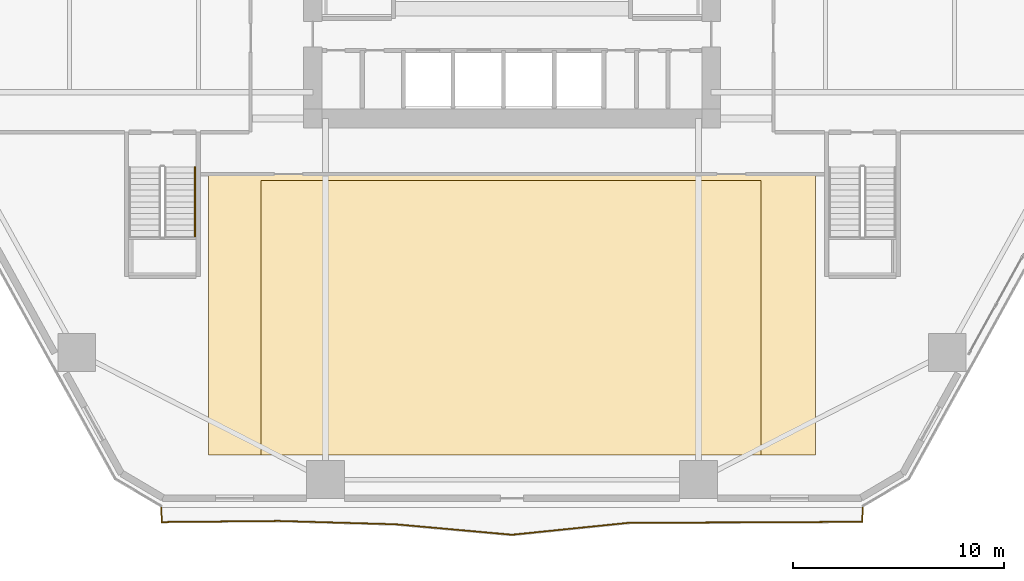
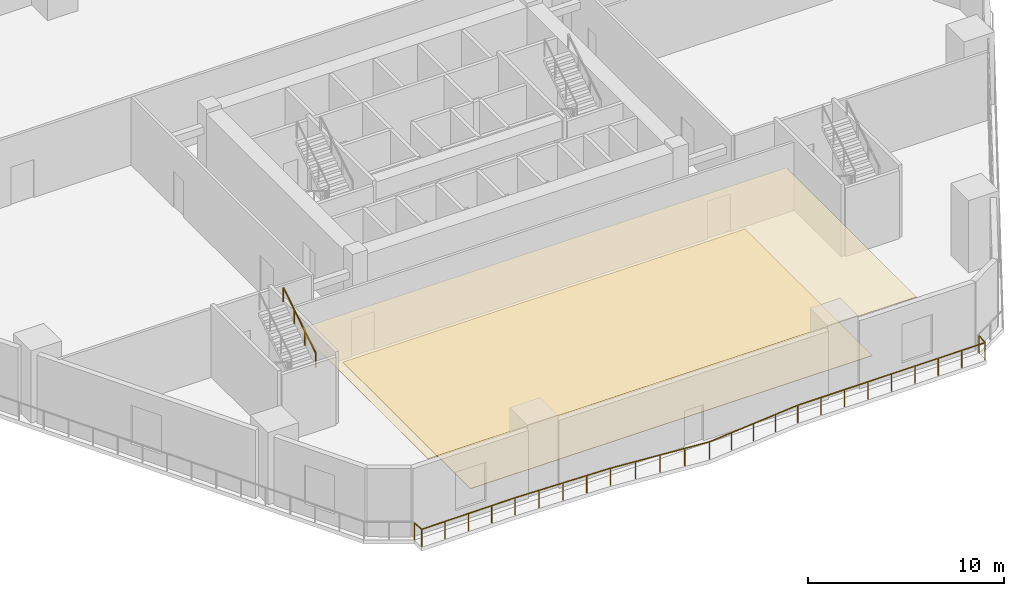
# One storey, part 14 of 18: 2 coverings, 2 railings.
"""IFC4 building model written with IfcOpenShell, lengths in metres."""

import ifcopenshell
import ifcopenshell.guid

model = None  # the IFC model being written
_history = None  # IfcOwnerHistory: only IFC2X3 demands one
_inside = {}  # id of a spatial element -> (the spatial element, [elements in it])
_under = {}  # id of a project, library or spatial element -> (it, [spatial elements below it])
_declared = {}  # id of a project -> (the project, [libraries it declares])
_typed = {}  # id of a type object -> (the type object, [elements of that type])
_made_of = {}  # id of a material, layer set ... -> (it, [elements and type objects made of it])


def new_model(schema):
    """Start an empty IFC model of exactly this schema.

    Asked for "IFC4X3", IfcOpenShell would pick the latest addendum, in which some entities
    have other attributes; the version numbers below select the first issue.
    IFC2X3 requires an IfcOwnerHistory on every rooted entity: one is made here for all.
    """
    global model, _history
    if schema == "IFC4X3":
        model = ifcopenshell.file(schema_version=(4, 3, 0, 0))
    else:
        model = ifcopenshell.file(schema=schema)
    _inside.clear()
    _under.clear()
    _declared.clear()
    _typed.clear()
    _made_of.clear()
    _history = None
    if model.schema == "IFC2X3":
        org = make("IfcOrganization", Name="unknown")
        user = make(
            "IfcPersonAndOrganization",
            ThePerson=make("IfcPerson", FamilyName="unknown"),
            TheOrganization=org,
        )
        app = make(
            "IfcApplication",
            ApplicationDeveloper=org,
            Version="unknown",
            ApplicationFullName="unknown",
            ApplicationIdentifier="unknown",
        )
        _history = make(
            "IfcOwnerHistory",
            OwningUser=user,
            OwningApplication=app,
            ChangeAction="ADDED",
            CreationDate=0,
        )
    return model


def make(cls, **values):
    """One entity of the class cls with the attributes given. An attribute that is None is left unset."""
    return model.create_entity(
        cls, **{name: value for name, value in values.items() if value is not None}
    )


def rooted(cls, **values):
    """An entity with a GlobalId (a new one), such as an element, a storey or a relation."""
    return make(cls, GlobalId=ifcopenshell.guid.new(), OwnerHistory=_history, **values)


def si_unit(unit_type, name, prefix=None):
    """IfcSIUnit, for example si_unit("LENGTHUNIT", "METRE", prefix="MILLI")."""
    return make("IfcSIUnit", UnitType=unit_type, Prefix=prefix, Name=name)


def assignment(units):
    """IfcUnitAssignment: the units of a project."""
    return None if units is None else make("IfcUnitAssignment", Units=units)


def point(xyz):
    """IfcCartesianPoint."""
    return None if xyz is None else make("IfcCartesianPoint", Coordinates=xyz)


def direction(xyz):
    """IfcDirection."""
    return None if xyz is None else make("IfcDirection", DirectionRatios=xyz)


def frame(location, z_axis=None, x_axis=None):
    """IfcAxis2Placement3D, a coordinate frame: its origin and axes. An axis left out is left unset."""
    return make(
        "IfcAxis2Placement3D",
        Location=point(location),
        Axis=direction(z_axis),
        RefDirection=direction(x_axis),
    )


def frame_2d(location, x_axis=None):
    """IfcAxis2Placement2D, a coordinate frame in the plane: its origin and x axis."""
    return make(
        "IfcAxis2Placement2D", Location=point(location), RefDirection=direction(x_axis)
    )


def origin():
    """The frame at (0, 0, 0) with its axes left unset."""
    return frame((0.0, 0.0, 0.0))


def origin_2d():
    """The frame at (0, 0) in the plane with its x axis left unset."""
    return frame_2d((0.0, 0.0))


def place(relative_to, where):
    """IfcLocalPlacement: puts the frame where relative to a parent placement (None: the world)."""
    return make(
        "IfcLocalPlacement", PlacementRelTo=relative_to, RelativePlacement=where
    )


def context(
    kind, dimensions, precision=None, world=None, true_north=None, identifier=None
):
    """IfcGeometricRepresentationContext, for example the 3D "Model" context."""
    return make(
        "IfcGeometricRepresentationContext",
        ContextIdentifier=identifier,
        ContextType=kind,
        CoordinateSpaceDimension=dimensions,
        Precision=precision,
        WorldCoordinateSystem=world,
        TrueNorth=true_north,
    )


def subcontext(parent, identifier, kind, view, scale=None):
    """IfcGeometricRepresentationSubContext, for example "Body" below "Model"."""
    return make(
        "IfcGeometricRepresentationSubContext",
        ContextIdentifier=identifier,
        ContextType=kind,
        ParentContext=parent,
        TargetScale=scale,
        TargetView=view,
    )


def project(units=None, contexts=None):
    """IfcProject with its units and contexts."""
    return rooted(
        "IfcProject",
        Name="project",
        RepresentationContexts=contexts,
        UnitsInContext=assignment(units),
    )


def spatial(cls, under=None, at=None, **own):
    """A site, building, storey or space (cls), placed at a placement, below another one or the project."""
    s = rooted(cls, ObjectPlacement=at, **own)
    if under is not None:
        _under.setdefault(under.id(), (under, []))[1].append(s)
    return s


def polyline(points):
    """IfcPolyline through the points."""
    return make("IfcPolyline", Points=[point(p) for p in points])


def profile(cls, at=None, kind="AREA", **sizes):
    """A parametric profile (cls). Its sizes go by their IFC names, for example OverallWidth=200.0."""
    return make(cls, ProfileType=kind, Position=at, **sizes)


def rectangle(**sizes):
    """IfcRectangleProfileDef."""
    return profile("IfcRectangleProfileDef", **sizes)


def outline(outer, holes=None, kind="AREA"):
    """IfcArbitraryClosedProfileDef: a profile drawn as a closed curve; with holes, ...WithVoids."""
    if holes is None:
        return make("IfcArbitraryClosedProfileDef", ProfileType=kind, OuterCurve=outer)
    return make(
        "IfcArbitraryProfileDefWithVoids",
        ProfileType=kind,
        OuterCurve=outer,
        InnerCurves=holes,
    )


def extrude(swept, where, along, depth):
    """IfcExtrudedAreaSolid: the profile swept, set in the frame where, extruded along a direction by depth."""
    return make(
        "IfcExtrudedAreaSolid",
        SweptArea=swept,
        Position=where,
        ExtrudedDirection=direction(along),
        Depth=depth,
    )


def shape(context_of_items, identifier, shape_type, items):
    """IfcShapeRepresentation: the items that make up one representation, for example the "Body"."""
    return make(
        "IfcShapeRepresentation",
        ContextOfItems=context_of_items,
        RepresentationIdentifier=identifier,
        RepresentationType=shape_type,
        Items=items,
    )


def material(Name=None, Category=None):
    """IfcMaterial."""
    return make("IfcMaterial", Name=Name, Category=Category)


def layer(
    of_material, thickness, ventilated=None, Name=None, Category=None, Priority=None
):
    """IfcMaterialLayer: one layer of a wall or slab, of a material (None: an air gap)."""
    return make(
        "IfcMaterialLayer",
        Material=of_material,
        LayerThickness=thickness,
        IsVentilated=ventilated,
        Name=Name,
        Category=Category,
        Priority=Priority,
    )


def layer_set(layers, Name=None):
    """IfcMaterialLayerSet."""
    return make("IfcMaterialLayerSet", MaterialLayers=layers, LayerSetName=Name)


def made_of(thing, what):
    """Note that an element or type object is made of a material, layer set ...; save() writes the relation."""
    if what is not None:
        _made_of.setdefault(what.id(), (what, []))[1].append(thing)
    return thing


def type_object(cls, material=None, **own):
    """A type object (cls), such as IfcWallType, which elements share."""
    return made_of(rooted(cls, **own), material)


def element(
    cls,
    number,
    at=None,
    inside=None,
    cuts=None,
    type_object=None,
    material=None,
    context=None,
    identifier="Body",
    shape_type=None,
    held_by="IfcProductDefinitionShape",
    body=None,
    shapes=None,
    **own,
):
    """One element of the class cls, such as IfcWall. Its Tag is "e" and its number.

    at: its placement. inside: the storey or other place that contains it. cuts: it is an
    opening in that element (IfcRelVoidsElement). A single representation is given by context,
    identifier, shape_type and body (its items); several are given by shapes. held_by: the class
    of the entity that holds the representations. save() writes the other relations.
    """
    e = rooted(cls, Tag="e%d" % number, ObjectPlacement=at, **own)
    if body is not None:
        shapes = [shape(context, identifier, shape_type, body)]
    if shapes is not None:
        e.Representation = make(held_by, Representations=shapes)
    if inside is not None:
        _inside.setdefault(inside.id(), (inside, []))[1].append(e)
    if cuts is not None:
        rooted(
            "IfcRelVoidsElement", RelatingBuildingElement=cuts, RelatedOpeningElement=e
        )
    if type_object is not None:
        _typed.setdefault(type_object.id(), (type_object, []))[1].append(e)
    return made_of(e, material)


def aggregate(whole, parts):
    """IfcRelAggregates: a whole, such as a stair, and the parts it consists of."""
    return rooted("IfcRelAggregates", RelatingObject=whole, RelatedObjects=parts)


def save(model, path):
    """Write the relations noted so far, then the file.

    IfcRelAggregates (storeys below a building ...), IfcRelContainedInSpatialStructure (elements
    in a storey), IfcRelDefinesByType, IfcRelAssociatesMaterial and IfcRelDeclares: one each for
    every whole, place, type object, material and project.
    """
    for whole, parts in _under.values():
        aggregate(whole, parts)
    for where, things in _inside.values():
        rooted(
            "IfcRelContainedInSpatialStructure",
            RelatedElements=things,
            RelatingStructure=where,
        )
    for kind, things in _typed.values():
        rooted("IfcRelDefinesByType", RelatedObjects=things, RelatingType=kind)
    for what, things in _made_of.values():
        rooted("IfcRelAssociatesMaterial", RelatedObjects=things, RelatingMaterial=what)
    for by, libraries in _declared.values():
        rooted("IfcRelDeclares", RelatingContext=by, RelatedDefinitions=libraries)
    model.write(path)


model = new_model("IFC4")

# Units and contexts
model_context = context("Model", 3, precision=1e-05, world=origin(), true_north=direction((0.0, 1.0)))
body_context = subcontext(model_context, "Body", "Model", "MODEL_VIEW")
ifc_project = project(units=[si_unit("LENGTHUNIT", "METRE"), si_unit("AREAUNIT", "SQUARE_METRE"), si_unit("VOLUMEUNIT", "CUBIC_METRE"), si_unit("PLANEANGLEUNIT", "RADIAN"), si_unit("MASSUNIT", "GRAM", prefix="KILO")], contexts=[model_context])

# Site, building, storey
site_placement = place(None, origin())
site = spatial("IfcSite", under=ifc_project, at=site_placement, CompositionType="ELEMENT")
building_placement = place(site_placement, origin())
building = spatial("IfcBuilding", under=site, at=building_placement, Name="Cinnabar Lancet Tower", CompositionType="ELEMENT")
storey_placement = place(building_placement, frame((0.0, 0.0, 10.5)))
storey = spatial("IfcBuildingStorey", under=building, at=storey_placement, Name="L02", CompositionType="ELEMENT", Elevation=10.5)

# Coverings
ifc_material_1 = material(Name="Acoustic perforated gypsum ceiling board", Category="finish")
ifc_layer_1 = layer(ifc_material_1, 0.01806640625)
ifc_layer_set_1 = layer_set([ifc_layer_1], Name="Acoustic perforated gypsum ceiling board")
covering_type_1 = type_object("IfcCoveringType", Name="ARC-COV-CEIL-GYP", PredefinedType="CEILING", material=ifc_layer_set_1)
covering_1_placement = place(storey_placement, frame((0.0, 0.0, 2.75)))
element("IfcCovering", 1, at=covering_1_placement, inside=storey, type_object=covering_type_1, Name="L02 Suspended Acoustic Ceiling", PredefinedType="CEILING", context=body_context, shape_type="SweptSolid", body=[
    extrude(outline(polyline([(18.0, 2.5), (46.800048828125, 2.5), (46.800048828125, 15.800048828125), (18.0, 15.800048828125), (18.0, 2.5)])), origin(), (0.0, 0.0, 1.0), 0.01806640625),
])
ifc_material_2 = material(Name="Honed Malaysian granite stone flooring", Category="masonry")
ifc_layer_2 = layer(ifc_material_2, 0.030029296875)
ifc_layer_set_2 = layer_set([ifc_layer_2], Name="Honed Malaysian granite stone flooring")
covering_type_2 = type_object("IfcCoveringType", Name="ARC-COV-FLR-STN", PredefinedType="FLOORING", material=ifc_layer_set_2)
covering_2_placement = place(storey_placement, origin())
element("IfcCovering", 2, at=covering_2_placement, inside=storey, type_object=covering_type_2, Name="L02 Architectural Floor Finish", PredefinedType="FLOORING", context=body_context, shape_type="SweptSolid", body=[
    extrude(outline(polyline([(20.5, 2.5), (44.199951171875, 2.5), (44.199951171875, 15.5), (20.5, 15.5), (20.5, 2.5)])), origin(), (0.0, 0.0, 1.0), 0.030029296875),
])

# Railings
ifc_material_3 = material(Name="Laminated safety glass and bronze stainless steel balustrade", Category="steel")
railing_type_1 = type_object("IfcRailingType", Name="ENV-RLG-BAL-1100", PredefinedType="BALUSTRADE", material=ifc_material_3)
railing_1_placement = place(storey_placement, frame((15.756103515625, 0.0, 0.0)))
element("IfcRailing", 3, at=railing_1_placement, inside=storey, type_object=railing_type_1, Name="L02 Face 1 Wave Balcony Balustrade", PredefinedType="BALUSTRADE", context=body_context, shape_type="SweptSolid", body=[
    extrude(rectangle(XDim=0.048095703125, YDim=0.048095703125, at=origin_2d()), frame((0.0, 0.0, 1.076171875), z_axis=(0.053206110203, -0.998583551756, 0.0), x_axis=(0.998583551756, 0.053206110203, 0.0)), (0.0, 0.0, 1.0), 0.69287109375),
    extrude(rectangle(XDim=0.048095703125, YDim=0.048095703125, at=origin_2d()), frame((0.036865234375, -0.69189453125, 1.076171875), z_axis=(0.999955918007, 0.009389464404, 0.0), x_axis=(-0.009389464404, 0.999955918007, 0.0)), (0.0, 0.0, 1.0), 5.538330078125),
    extrude(rectangle(XDim=0.048095703125, YDim=0.048095703125, at=origin_2d()), frame((5.574951171875, -0.639892578125, 1.076171875), z_axis=(0.999596784098, -0.028394880198, 0.0), x_axis=(0.028394880198, 0.999596784098, 0.0)), (0.0, 0.0, 1.0), 5.537109375),
    extrude(rectangle(XDim=0.048095703125, YDim=0.048095703125, at=origin_2d()), frame((11.10986328125, -0.797119140625, 1.076171875), z_axis=(0.995994146645, -0.08941845363, 0.0), x_axis=(0.08941845363, 0.995994146645, 0.0)), (0.0, 0.0, 1.0), 5.55615234375),
    extrude(rectangle(XDim=0.048095703125, YDim=0.048095703125, at=origin_2d()), frame((16.643798828125, -1.2939453125, 1.076171875), z_axis=(0.994794450515, 0.101901919627, 0.0), x_axis=(-0.101901919627, 0.994794450515, 0.0)), (0.0, 0.0, 1.0), 5.563232421875),
    extrude(rectangle(XDim=0.048095703125, YDim=0.048095703125, at=origin_2d()), frame((22.177978515625, -0.72705078125, 1.076171875), z_axis=(0.999992805165, 0.003793365147, 0.0), x_axis=(-0.003793365147, 0.999992805165, 0.0)), (0.0, 0.0, 1.0), 5.534912109375),
    extrude(rectangle(XDim=0.048095703125, YDim=0.048095703125, at=origin_2d()), frame((27.712890625, -0.7060546875, 1.076171875), z_axis=(0.99998887523, 0.004716928657, 0.0), x_axis=(-0.004716928657, 0.99998887523, 0.0)), (0.0, 0.0, 1.0), 5.5380859375),
    extrude(rectangle(XDim=0.048095703125, YDim=0.048095703125, at=origin_2d()), frame((33.2509765625, -0.679931640625, 1.076171875), z_axis=(0.054139511868, 0.998533381142, 0.0), x_axis=(-0.998533381142, 0.054139511868, 0.0)), (0.0, 0.0, 1.0), 0.680908203125),
    extrude(rectangle(XDim=0.0419921875, YDim=0.0419921875, at=origin_2d()), origin(), (0.0, 0.0, 1.0), 1.052001953125),
    extrude(rectangle(XDim=0.0419921875, YDim=0.0419921875, at=origin_2d()), frame((0.036865234375, -0.69189453125, 0.0)), (0.0, 0.0, 1.0), 1.052001953125),
    extrude(rectangle(XDim=0.0419921875, YDim=0.0419921875, at=origin_2d()), frame((1.42138671875, -0.678955078125, 0.0)), (0.0, 0.0, 1.0), 1.052001953125),
    extrude(rectangle(XDim=0.0419921875, YDim=0.0419921875, at=origin_2d()), frame((2.805908203125, -0.666015625, 0.0)), (0.0, 0.0, 1.0), 1.052001953125),
    extrude(rectangle(XDim=0.0419921875, YDim=0.0419921875, at=origin_2d()), frame((4.1904296875, -0.65283203125, 0.0)), (0.0, 0.0, 1.0), 1.052001953125),
    extrude(rectangle(XDim=0.0419921875, YDim=0.0419921875, at=origin_2d()), frame((5.574951171875, -0.639892578125, 0.0)), (0.0, 0.0, 1.0), 1.052001953125),
    extrude(rectangle(XDim=0.0419921875, YDim=0.0419921875, at=origin_2d()), frame((6.958740234375, -0.67919921875, 0.0)), (0.0, 0.0, 1.0), 1.052001953125),
    extrude(rectangle(XDim=0.0419921875, YDim=0.0419921875, at=origin_2d()), frame((8.34228515625, -0.718505859375, 0.0)), (0.0, 0.0, 1.0), 1.052001953125),
    extrude(rectangle(XDim=0.0419921875, YDim=0.0419921875, at=origin_2d()), frame((9.72607421875, -0.7578125, 0.0)), (0.0, 0.0, 1.0), 1.052001953125),
    extrude(rectangle(XDim=0.0419921875, YDim=0.0419921875, at=origin_2d()), frame((11.10986328125, -0.797119140625, 0.0)), (0.0, 0.0, 1.0), 1.052001953125),
    extrude(rectangle(XDim=0.0419921875, YDim=0.0419921875, at=origin_2d()), frame((12.493408203125, -0.92138671875, 0.0)), (0.0, 0.0, 1.0), 1.052001953125),
    extrude(rectangle(XDim=0.0419921875, YDim=0.0419921875, at=origin_2d()), frame((13.876953125, -1.04541015625, 0.0)), (0.0, 0.0, 1.0), 1.052001953125),
    extrude(rectangle(XDim=0.0419921875, YDim=0.0419921875, at=origin_2d()), frame((15.26025390625, -1.169677734375, 0.0)), (0.0, 0.0, 1.0), 1.052001953125),
    extrude(rectangle(XDim=0.0419921875, YDim=0.0419921875, at=origin_2d()), frame((16.643798828125, -1.2939453125, 0.0)), (0.0, 0.0, 1.0), 1.052001953125),
    extrude(rectangle(XDim=0.0419921875, YDim=0.0419921875, at=origin_2d()), frame((18.02734375, -1.15234375, 0.0)), (0.0, 0.0, 1.0), 1.052001953125),
    extrude(rectangle(XDim=0.0419921875, YDim=0.0419921875, at=origin_2d()), frame((19.410888671875, -1.010498046875, 0.0)), (0.0, 0.0, 1.0), 1.052001953125),
    extrude(rectangle(XDim=0.0419921875, YDim=0.0419921875, at=origin_2d()), frame((20.79443359375, -0.86865234375, 0.0)), (0.0, 0.0, 1.0), 1.052001953125),
    extrude(rectangle(XDim=0.0419921875, YDim=0.0419921875, at=origin_2d()), frame((22.177978515625, -0.72705078125, 0.0)), (0.0, 0.0, 1.0), 1.052001953125),
    extrude(rectangle(XDim=0.0419921875, YDim=0.0419921875, at=origin_2d()), frame((23.561767578125, -0.7216796875, 0.0)), (0.0, 0.0, 1.0), 1.052001953125),
    extrude(rectangle(XDim=0.0419921875, YDim=0.0419921875, at=origin_2d()), frame((24.9453125, -0.716552734375, 0.0)), (0.0, 0.0, 1.0), 1.052001953125),
    extrude(rectangle(XDim=0.0419921875, YDim=0.0419921875, at=origin_2d()), frame((26.3291015625, -0.71142578125, 0.0)), (0.0, 0.0, 1.0), 1.052001953125),
    extrude(rectangle(XDim=0.0419921875, YDim=0.0419921875, at=origin_2d()), frame((27.712890625, -0.7060546875, 0.0)), (0.0, 0.0, 1.0), 1.052001953125),
    extrude(rectangle(XDim=0.0419921875, YDim=0.0419921875, at=origin_2d()), frame((29.097412109375, -0.699462890625, 0.0)), (0.0, 0.0, 1.0), 1.052001953125),
    extrude(rectangle(XDim=0.0419921875, YDim=0.0419921875, at=origin_2d()), frame((30.48193359375, -0.69287109375, 0.0)), (0.0, 0.0, 1.0), 1.052001953125),
    extrude(rectangle(XDim=0.0419921875, YDim=0.0419921875, at=origin_2d()), frame((31.866455078125, -0.6865234375, 0.0)), (0.0, 0.0, 1.0), 1.052001953125),
    extrude(rectangle(XDim=0.0419921875, YDim=0.0419921875, at=origin_2d()), frame((33.2509765625, -0.679931640625, 0.0)), (0.0, 0.0, 1.0), 1.052001953125),
    extrude(rectangle(XDim=0.0419921875, YDim=0.0419921875, at=origin_2d()), frame((33.287841796875, 0.0, 0.0)), (0.0, 0.0, 1.0), 1.052001953125),
])
ifc_material_4 = material(Name="Brushed stainless steel handrail", Category="steel")
railing_type_2 = type_object("IfcRailingType", Name="HANDRAIL-STAIR", PredefinedType="HANDRAIL", material=ifc_material_4)
railing_2_placement = place(storey_placement, frame((17.364990234375, 12.85009765625, 2.423095703125)))
element("IfcRailing", 4, at=railing_2_placement, inside=storey, type_object=railing_type_2, Name="L02 ST-3 stair handrail 2", PredefinedType="HANDRAIL", context=body_context, shape_type="SweptSolid", body=[
    extrude(rectangle(XDim=0.048095703125, YDim=0.048095703125, at=origin_2d()), frame((0.0, 0.0, 0.8759765625), z_axis=(0.0, 0.846319618018, 0.532675421018), x_axis=(-1.0, 0.0, 0.0)), (0.0, 0.0, 1.0), 3.89892578125),
    extrude(rectangle(XDim=0.0419921875, YDim=0.0419921875, at=origin_2d()), origin(), (0.0, 0.0, 1.0), 0.851806640625),
    extrude(rectangle(XDim=0.0419921875, YDim=0.0419921875, at=origin_2d()), frame((0.0, 1.099853515625, 0.6923828125)), (0.0, 0.0, 1.0), 0.851806640625),
    extrude(rectangle(XDim=0.0419921875, YDim=0.0419921875, at=origin_2d()), frame((0.0, 2.199951171875, 1.384521484375)), (0.0, 0.0, 1.0), 0.851806640625),
    extrude(rectangle(XDim=0.0419921875, YDim=0.0419921875, at=origin_2d()), frame((0.0, 3.2998046875, 2.076904296875)), (0.0, 0.0, 1.0), 0.851806640625),
])

save(model, "model.ifc")
